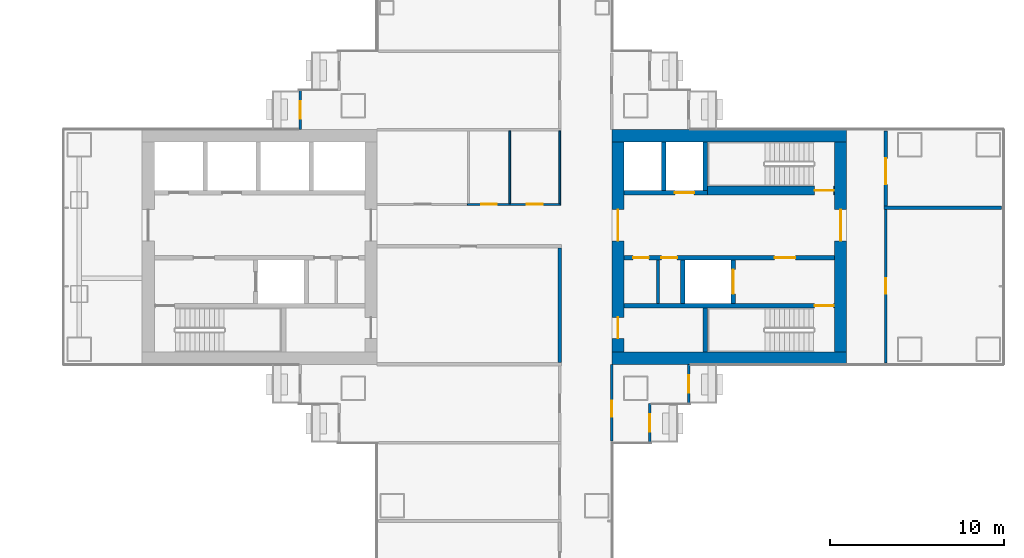
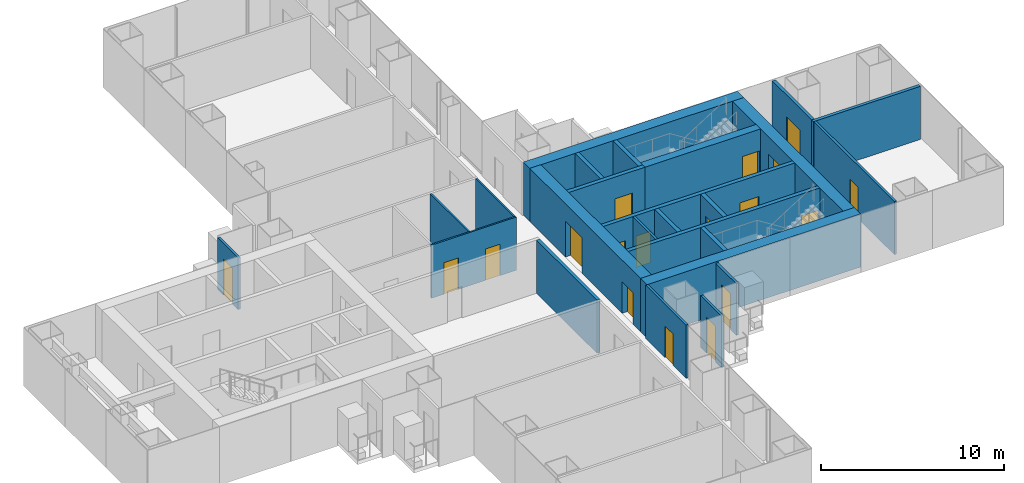
# One storey, part 16 of 21: 25 walls, 18 doors, 18 openings.
"""IFC4 building model written with IfcOpenShell, lengths in metres."""

from ifc_helpers import new_model, si_unit, direction, frame, frame_2d, origin, place, context, subcontext, project, spatial, rectangle, extrude, material, layer, layer_set, type_object, element, fill, save


model = new_model("IFC4")

# Units and contexts
model_context = context("Model", 3, precision=1e-05, world=origin(), true_north=direction((0.0, 1.0)))
body_context = subcontext(model_context, "Body", "Model", "MODEL_VIEW")
ifc_project = project(units=[si_unit("LENGTHUNIT", "METRE"), si_unit("AREAUNIT", "SQUARE_METRE"), si_unit("VOLUMEUNIT", "CUBIC_METRE"), si_unit("PLANEANGLEUNIT", "RADIAN"), si_unit("MASSUNIT", "GRAM", prefix="KILO")], contexts=[model_context])

# Site, building, storey
site_placement = place(None, origin())
site = spatial("IfcSite", under=ifc_project, at=site_placement, CompositionType="ELEMENT")
building_placement = place(site_placement, origin())
building = spatial("IfcBuilding", under=site, at=building_placement, Name="Shamsa Quay Exchange Towers", CompositionType="ELEMENT")
storey_placement = place(building_placement, frame((0.0, 0.0, 49.800048828125)))
storey = spatial("IfcBuildingStorey", under=building, at=storey_placement, Name="L10", CompositionType="ELEMENT", Elevation=49.800048828125)

# Wall, opening, door
ifc_material_1 = material(Name="Aluminium EN AW-6063 T6, black anodised, with black enamelled glass infill", Category="aluminium")
ifc_layer_1 = layer(ifc_material_1, 0.14990234375)
ifc_layer_set_1 = layer_set([ifc_layer_1], Name="BALCONY DOOR BAY WALL 150")
wall_type_1 = type_object("IfcWallType", Name="BALCONY DOOR BAY WALL 150", PredefinedType="SOLIDWALL", material=ifc_layer_set_1)
wall_1_placement = place(storey_placement, frame((22.574951171875, 6.742919921875, 0.0), z_axis=(0.0, 0.0, 1.0), x_axis=(0.0, 1.0, 0.0)))
wall_1 = element("IfcWall", 1, at=wall_1_placement, inside=storey, type_object=wall_type_1, Name="Door bay T2-PKEN L10", PredefinedType="SOLIDWALL", context=body_context, shape_type="SweptSolid", body=[
    extrude(rectangle(XDim=2.257080078125, YDim=0.14990234375, at=frame_2d((1.12841796875, 0.0))), origin(), (0.0, 0.0, 1.0), 3.449951171875),
])
opening_1_placement = place(wall_1_placement, frame((0.632080078125, 0.0, 0.0)))
opening_1 = element("IfcOpeningElement", 2, at=opening_1_placement, cuts=wall_1, Name="Opening XD058", PredefinedType="OPENING", context=body_context, shape_type="SweptSolid", body=[
    extrude(rectangle(XDim=1.0, YDim=2.39990234375, at=frame_2d((0.5, 1.199951171875))), frame((0.0, 0.0849609375, 0.0), z_axis=(0.0, -1.0, 0.0), x_axis=(1.0, 0.0, 0.0)), (0.0, 0.0, 1.0), 0.169921875),
])
ifc_material_2 = material(Name="Aluminium EN AW-6063 T6, black anodised, with laminated glass leaf", Category="aluminium")
door_type_1 = type_object("IfcDoorType", Name="BALCONY DOOR 1000x2400", OperationType="SINGLE_SWING_LEFT", PredefinedType="DOOR", material=ifc_material_2)
door_1_placement = place(opening_1_placement, origin())
door_1 = element("IfcDoor", 3, at=door_1_placement, inside=storey, type_object=door_type_1, Name="Balcony door T2-PKEN L10", OperationType="SINGLE_SWING_LEFT", OverallHeight=2.39990234375, OverallWidth=1.0, PredefinedType="DOOR", context=body_context, shape_type="SweptSolid", body=[
    extrude(rectangle(XDim=1.0, YDim=2.39990234375, at=frame_2d((0.5, 1.199951171875))), frame((0.0, 0.02490234375, 0.0), z_axis=(0.0, -1.0, 0.0), x_axis=(1.0, 0.0, 0.0)), (0.0, 0.0, 1.0), 0.050048828125),
])
fill(opening_1, door_1)

wall_2_placement = place(storey_placement, frame((42.675048828125, -9.0, 0.0), z_axis=(0.0, 0.0, 1.0), x_axis=(0.0, -1.0, 0.0)))
wall_2 = element("IfcWall", 4, at=wall_2_placement, inside=storey, type_object=wall_type_1, Name="Door bay T2-PKWS L10", PredefinedType="SOLIDWALL", context=body_context, shape_type="SweptSolid", body=[
    extrude(rectangle(XDim=2.25, YDim=0.14990234375, at=frame_2d((1.125, 0.0))), origin(), (0.0, 0.0, 1.0), 3.449951171875),
])
opening_2_placement = place(wall_2_placement, frame((0.625, 0.0, 0.0)))
opening_2 = element("IfcOpeningElement", 5, at=opening_2_placement, cuts=wall_2, Name="Opening XD063", PredefinedType="OPENING", context=body_context, shape_type="SweptSolid", body=[
    extrude(rectangle(XDim=1.0, YDim=2.39990234375, at=frame_2d((0.5, 1.199951171875))), frame((0.0, 0.0849609375, 0.0), z_axis=(0.0, -1.0, 0.0), x_axis=(1.0, 0.0, 0.0)), (0.0, 0.0, 1.0), 0.169921875),
])
door_2_placement = place(opening_2_placement, origin())
door_2 = element("IfcDoor", 6, at=door_2_placement, inside=storey, type_object=door_type_1, Name="Balcony door T2-PKWS L10", OperationType="SINGLE_SWING_LEFT", OverallHeight=2.39990234375, OverallWidth=1.0, PredefinedType="DOOR", context=body_context, shape_type="SweptSolid", body=[
    extrude(rectangle(XDim=1.0, YDim=2.39990234375, at=frame_2d((0.5, 1.199951171875))), frame((0.0, 0.02490234375, 0.0), z_axis=(0.0, -1.0, 0.0), x_axis=(1.0, 0.0, 0.0)), (0.0, 0.0, 1.0), 0.050048828125),
])
fill(opening_2, door_2)

wall_3_placement = place(storey_placement, frame((44.925048828125, -6.742919921875, 0.0), z_axis=(0.0, 0.0, 1.0), x_axis=(0.0, -1.0, 0.0)))
wall_3 = element("IfcWall", 7, at=wall_3_placement, inside=storey, type_object=wall_type_1, Name="Door bay T2-PKWS L10", PredefinedType="SOLIDWALL", context=body_context, shape_type="SweptSolid", body=[
    extrude(rectangle(XDim=2.257080078125, YDim=0.14990234375, at=frame_2d((1.12841796875, 0.0))), origin(), (0.0, 0.0, 1.0), 3.449951171875),
])
opening_3_placement = place(wall_3_placement, frame((0.632080078125, 0.0, 0.0)))
opening_3 = element("IfcOpeningElement", 8, at=opening_3_placement, cuts=wall_3, Name="Opening XD064", PredefinedType="OPENING", context=body_context, shape_type="SweptSolid", body=[
    extrude(rectangle(XDim=1.0, YDim=2.39990234375, at=frame_2d((0.5, 1.199951171875))), frame((0.0, 0.0849609375, 0.0), z_axis=(0.0, -1.0, 0.0), x_axis=(1.0, 0.0, 0.0)), (0.0, 0.0, 1.0), 0.169921875),
])
door_3_placement = place(opening_3_placement, origin())
door_3 = element("IfcDoor", 9, at=door_3_placement, inside=storey, type_object=door_type_1, Name="Balcony door T2-PKWS L10", OperationType="SINGLE_SWING_RIGHT", OverallHeight=2.39990234375, OverallWidth=1.0, PredefinedType="DOOR", context=body_context, shape_type="SweptSolid", body=[
    extrude(rectangle(XDim=1.0, YDim=2.39990234375, at=frame_2d((0.5, 1.199951171875))), frame((0.0, 0.02490234375, 0.0), z_axis=(0.0, -1.0, 0.0), x_axis=(1.0, 0.0, 0.0)), (0.0, 0.0, 1.0), 0.050048828125),
])
fill(opening_3, door_3)

# Walls
ifc_material_3 = material(Name="Concrete C80/95", Category="concrete")
ifc_layer_2 = layer(ifc_material_3, 0.699951171875)
ifc_layer_set_2 = layer_set([ifc_layer_2], Name="CORE WALL 700 C80/95")
wall_type_2 = type_object("IfcWallType", Name="CORE WALL 700 C80/95", PredefinedType="SHEAR", material=ifc_layer_set_2)
for number, where, z_axis, x_axis, name in (
    (10, (54.0, -6.39990234375, 0.0), (0.0, 0.0, 1.0), (-1.0, 0.0, 0.0), "Core wall T2B-R04-PS"),
    (11, (54.0, 6.39990234375, 0.0), (0.0, 0.0, 1.0), (-1.0, 0.0, 0.0), "Core wall T2B-R04-PN"),
):
    element("IfcWall", number, at=place(storey_placement, frame(where, z_axis=z_axis, x_axis=x_axis)), inside=storey, type_object=wall_type_2, Name=name, PredefinedType="SHEAR", context=body_context, shape_type="SweptSolid", body=[
        extrude(rectangle(XDim=13.5, YDim=0.699951171875, at=frame_2d((6.75, 0.0))), origin(), (0.0, 0.0, 1.0), 3.550048828125),
    ])

# Wall, opening, door
wall_4_placement = place(storey_placement, frame((53.64990234375, -6.050048828125, 0.0), z_axis=(0.0, 0.0, 1.0), x_axis=(0.0, 1.0, 0.0)))
wall_4 = element("IfcWall", 12, at=wall_4_placement, inside=storey, type_object=wall_type_2, Name="Core wall T2B-R04-PF", PredefinedType="SHEAR", context=body_context, shape_type="SweptSolid", body=[
    extrude(rectangle(XDim=12.10009765625, YDim=0.699951171875, at=frame_2d((6.050048828125, 0.0))), origin(), (0.0, 0.0, 1.0), 3.550048828125),
])
opening_4_placement = place(wall_4_placement, frame((6.39990234375, 0.0, 0.0)))
opening_4 = element("IfcOpeningElement", 13, at=opening_4_placement, cuts=wall_4, Name="Opening T2B-R04-LBD01", PredefinedType="OPENING", context=body_context, shape_type="SweptSolid", body=[
    extrude(rectangle(XDim=1.800048828125, YDim=2.39990234375, at=frame_2d((0.89990234375, 1.199951171875))), frame((0.0, 0.35986328125, 0.0), z_axis=(0.0, -1.0, 0.0), x_axis=(1.0, 0.0, 0.0)), (0.0, 0.0, 1.0), 0.719970703125),
])
ifc_material_4 = material(Name="Steel, fire rated", Category="steel")
door_type_2 = type_object("IfcDoorType", Name="LIFT LOBBY DOOR PAIR 1800", OperationType="DOUBLE_DOOR_SINGLE_SWING", PredefinedType="DOOR", material=ifc_material_4)
door_4_placement = place(opening_4_placement, origin())
door_4 = element("IfcDoor", 14, at=door_4_placement, inside=storey, type_object=door_type_2, Name="T2B-R04-LBD01", OperationType="DOUBLE_DOOR_SINGLE_SWING", OverallHeight=2.39990234375, OverallWidth=1.800048828125, PredefinedType="DOOR", context=body_context, shape_type="SweptSolid", body=[
    extrude(rectangle(XDim=1.800048828125, YDim=2.39990234375, at=frame_2d((0.89990234375, 1.199951171875))), frame((0.0, 0.02490234375, 0.0), z_axis=(0.0, -1.0, 0.0), x_axis=(1.0, 0.0, 0.0)), (0.0, 0.0, 1.0), 0.050048828125),
])
fill(opening_4, door_4)

# Wall, openings, doors
wall_5_placement = place(storey_placement, frame((40.85009765625, -6.050048828125, 0.0), z_axis=(0.0, 0.0, 1.0), x_axis=(0.0, 1.0, 0.0)))
wall_5 = element("IfcWall", 15, at=wall_5_placement, inside=storey, type_object=wall_type_2, Name="Core wall T2B-R04-PB", PredefinedType="SHEAR", context=body_context, shape_type="SweptSolid", body=[
    extrude(rectangle(XDim=12.10009765625, YDim=0.699951171875, at=frame_2d((6.050048828125, 0.0))), origin(), (0.0, 0.0, 1.0), 3.550048828125),
])
opening_5_placement = place(wall_5_placement, frame((0.800048828125, 0.0, 0.0)))
opening_5 = element("IfcOpeningElement", 16, at=opening_5_placement, cuts=wall_5, Name="Opening T2B-R04-RD02", PredefinedType="OPENING", context=body_context, shape_type="SweptSolid", body=[
    extrude(rectangle(XDim=1.199951171875, YDim=2.10009765625, at=frame_2d((0.60009765625, 1.050048828125))), frame((0.0, 0.35986328125, 0.0), z_axis=(0.0, -1.0, 0.0), x_axis=(1.0, 0.0, 0.0)), (0.0, 0.0, 1.0), 0.719970703125),
])
opening_6_placement = place(wall_5_placement, frame((6.39990234375, 0.0, 0.0)))
opening_6 = element("IfcOpeningElement", 17, at=opening_6_placement, cuts=wall_5, Name="Opening T2B-R04-LBD03", PredefinedType="OPENING", context=body_context, shape_type="SweptSolid", body=[
    extrude(rectangle(XDim=1.800048828125, YDim=2.39990234375, at=frame_2d((0.89990234375, 1.199951171875))), frame((0.0, 0.35986328125, 0.0), z_axis=(0.0, -1.0, 0.0), x_axis=(1.0, 0.0, 0.0)), (0.0, 0.0, 1.0), 0.719970703125),
])
door_5_placement = place(opening_6_placement, origin())
door_5 = element("IfcDoor", 18, at=door_5_placement, inside=storey, type_object=door_type_2, Name="T2B-R04-LBD03", OperationType="DOUBLE_DOOR_SINGLE_SWING", OverallHeight=2.39990234375, OverallWidth=1.800048828125, PredefinedType="DOOR", context=body_context, shape_type="SweptSolid", body=[
    extrude(rectangle(XDim=1.800048828125, YDim=2.39990234375, at=frame_2d((0.89990234375, 1.199951171875))), frame((0.0, 0.02490234375, 0.0), z_axis=(0.0, -1.0, 0.0), x_axis=(1.0, 0.0, 0.0)), (0.0, 0.0, 1.0), 0.050048828125),
])
fill(opening_6, door_5)
door_type_3 = type_object("IfcDoorType", Name="RISER ACCESS DOOR 1200", OperationType="SINGLE_SWING_LEFT", PredefinedType="DOOR", material=ifc_material_4)
door_6_placement = place(opening_5_placement, origin())
door_6 = element("IfcDoor", 19, at=door_6_placement, inside=storey, type_object=door_type_3, Name="T2B-R04-RD02", OperationType="SINGLE_SWING_LEFT", OverallHeight=2.10009765625, OverallWidth=1.199951171875, PredefinedType="DOOR", context=body_context, shape_type="SweptSolid", body=[
    extrude(rectangle(XDim=1.199951171875, YDim=2.10009765625, at=frame_2d((0.60009765625, 1.050048828125))), frame((0.0, 0.02490234375, 0.0), z_axis=(0.0, -1.0, 0.0), x_axis=(1.0, 0.0, 0.0)), (0.0, 0.0, 1.0), 0.050048828125),
])
fill(opening_5, door_6)

# Walls
ifc_material_5 = material(Name="Gypsum board on steel studs, EI 60", Category="steel")
ifc_layer_3 = layer(ifc_material_5, 0.14990234375)
ifc_layer_set_3 = layer_set([ifc_layer_3], Name="FIRE PARTITION 150")
wall_type_3 = type_object("IfcWallType", Name="FIRE PARTITION 150", PredefinedType="PARTITIONING", material=ifc_layer_set_3)
wall_6_placement = place(storey_placement, frame((43.14990234375, -3.25, 0.0), z_axis=(0.0, 0.0, 1.0), x_axis=(0.0, 1.0, 0.0)))
element("IfcWall", 20, at=wall_6_placement, inside=storey, type_object=wall_type_3, Name="Partition T2B-R04-EC0", PredefinedType="PARTITIONING", context=body_context, shape_type="SweptSolid", body=[
    extrude(rectangle(XDim=2.5, YDim=0.14990234375, at=frame_2d((1.25, 0.0))), origin(), (0.0, 0.0, 1.0), 3.550048828125),
])
ifc_material_6 = material(Name="Gypsum board partition on metal studs")
ifc_layer_4 = layer(ifc_material_6, 0.10009765625)
ifc_layer_set_4 = layer_set([ifc_layer_4], Name="Partition 100 mm NOT RATED")
wall_type_4 = type_object("IfcWallType", Name="Partition 100 mm NOT RATED", PredefinedType="PARTITIONING", material=ifc_layer_set_4)
wall_7_placement = place(storey_placement, frame((37.5, 2.500244140625, 0.0), z_axis=(0.0, 0.0, 1.0), x_axis=(0.0, 1.0, 0.0)))
element("IfcWall", 21, at=wall_7_placement, inside=storey, type_object=wall_type_4, Name="Partition T2-R04-W08", PredefinedType="PARTITIONING", context=body_context, shape_type="SweptSolid", body=[
    extrude(rectangle(XDim=4.1748046875, YDim=0.10009765625, at=frame_2d((2.08740234375, 0.0))), origin(), (0.0, 0.0, 1.0), 3.550048828125),
])

# Wall, openings, doors
wall_8_placement = place(storey_placement, frame((32.1875, 2.4501953125, 0.0)))
wall_8 = element("IfcWall", 22, at=wall_8_placement, inside=storey, type_object=wall_type_4, Name="Partition T2-R04-W09", PredefinedType="PARTITIONING", context=body_context, shape_type="SweptSolid", body=[
    extrude(rectangle(XDim=5.362548828125, YDim=0.10009765625, at=frame_2d((2.68115234375, 0.0))), origin(), (0.0, 0.0, 1.0), 3.550048828125),
])
opening_7_placement = place(wall_8_placement, frame((3.425048828125, 0.0, 0.0)))
opening_7 = element("IfcOpeningElement", 23, at=opening_7_placement, cuts=wall_8, Name="Opening T2-R04-D09", PredefinedType="OPENING", context=body_context, shape_type="SweptSolid", body=[
    extrude(rectangle(XDim=0.89990234375, YDim=2.10009765625, at=frame_2d((0.449951171875, 1.050048828125))), frame((0.0, 0.06005859375, 0.0), z_axis=(0.0, -1.0, 0.0), x_axis=(1.0, 0.0, 0.0)), (0.0, 0.0, 1.0), 0.1201171875),
])
opening_8_placement = place(wall_8_placement, frame((0.800048828125, 0.0, 0.0)))
opening_8 = element("IfcOpeningElement", 24, at=opening_8_placement, cuts=wall_8, Name="Opening T2-R04-D10", PredefinedType="OPENING", context=body_context, shape_type="SweptSolid", body=[
    extrude(rectangle(XDim=0.89990234375, YDim=2.10009765625, at=frame_2d((0.449951171875, 1.050048828125))), frame((0.0, 0.06005859375, 0.0), z_axis=(0.0, -1.0, 0.0), x_axis=(1.0, 0.0, 0.0)), (0.0, 0.0, 1.0), 0.1201171875),
])
ifc_material_7 = material(Name="Timber door leaf in a metal frame", Category="wood")
door_type_4 = type_object("IfcDoorType", Name="Door 900x2100 NOT RATED", OperationType="NOTDEFINED", PredefinedType="DOOR", material=ifc_material_7)
door_7_placement = place(opening_7_placement, origin())
door_7 = element("IfcDoor", 25, at=door_7_placement, inside=storey, type_object=door_type_4, Name="Door T2-R04-D09", OperationType="SINGLE_SWING_RIGHT", OverallHeight=2.10009765625, OverallWidth=0.89990234375, PredefinedType="DOOR", context=body_context, shape_type="SweptSolid", body=[
    extrude(rectangle(XDim=0.89990234375, YDim=2.10009765625, at=frame_2d((0.449951171875, 1.050048828125))), frame((0.0, 0.02490234375, 0.0), z_axis=(0.0, -1.0, 0.0), x_axis=(1.0, 0.0, 0.0)), (0.0, 0.0, 1.0), 0.050048828125),
])
fill(opening_7, door_7)
door_8_placement = place(opening_8_placement, origin())
door_8 = element("IfcDoor", 26, at=door_8_placement, inside=storey, type_object=door_type_4, Name="Door T2-R04-D10", OperationType="SINGLE_SWING_RIGHT", OverallHeight=2.10009765625, OverallWidth=0.89990234375, PredefinedType="DOOR", context=body_context, shape_type="SweptSolid", body=[
    extrude(rectangle(XDim=0.89990234375, YDim=2.10009765625, at=frame_2d((0.449951171875, 1.050048828125))), frame((0.0, 0.02490234375, 0.0), z_axis=(0.0, -1.0, 0.0), x_axis=(1.0, 0.0, 0.0)), (0.0, 0.0, 1.0), 0.050048828125),
])
fill(opening_8, door_8)

# Wall
wall_9_placement = place(storey_placement, frame((34.625, 6.675048828125, 0.0), z_axis=(0.0, 0.0, 1.0), x_axis=(0.0, -1.0, 0.0)))
element("IfcWall", 27, at=wall_9_placement, inside=storey, type_object=wall_type_4, Name="Partition T2-R04-W21", PredefinedType="PARTITIONING", context=body_context, shape_type="SweptSolid", body=[
    extrude(rectangle(XDim=4.1748046875, YDim=0.10009765625, at=frame_2d((2.08740234375, 0.0))), origin(), (0.0, 0.0, 1.0), 3.550048828125),
])

# Wall, opening, door
ifc_layer_5 = layer(ifc_material_6, 0.14990234375)
ifc_layer_set_5 = layer_set([ifc_layer_5], Name="Partition 150 mm EI 60")
wall_type_5 = type_object("IfcWallType", Name="Partition 150 mm EI 60", PredefinedType="PARTITIONING", material=ifc_layer_set_5)
wall_10_placement = place(storey_placement, frame((40.5, -6.75, 0.0), z_axis=(0.0, 0.0, 1.0), x_axis=(0.0, -1.0, 0.0)))
wall_10 = element("IfcWall", 28, at=wall_10_placement, inside=storey, type_object=wall_type_5, Name="Partition T2-R04-W13", PredefinedType="PARTITIONING", context=body_context, shape_type="SweptSolid", body=[
    extrude(rectangle(XDim=4.405029296875, YDim=0.14990234375, at=frame_2d((2.20263671875, 0.0))), origin(), (0.0, 0.0, 1.0), 3.550048828125),
])
opening_9_placement = place(wall_10_placement, frame((2.10009765625, 0.0, 0.0)))
opening_9 = element("IfcOpeningElement", 29, at=opening_9_placement, cuts=wall_10, Name="Opening T2-R04-D03", PredefinedType="OPENING", context=body_context, shape_type="SweptSolid", body=[
    extrude(rectangle(XDim=0.89990234375, YDim=2.10009765625, at=frame_2d((0.449951171875, 1.050048828125))), frame((0.0, 0.0849609375, 0.0), z_axis=(0.0, -1.0, 0.0), x_axis=(1.0, 0.0, 0.0)), (0.0, 0.0, 1.0), 0.169921875),
])
door_type_5 = type_object("IfcDoorType", Name="Door 900x2100 FD30S", OperationType="NOTDEFINED", PredefinedType="DOOR", material=ifc_material_7)
door_9_placement = place(opening_9_placement, origin())
door_9 = element("IfcDoor", 30, at=door_9_placement, inside=storey, type_object=door_type_5, Name="Door T2-R04-D03", OperationType="SINGLE_SWING_RIGHT", OverallHeight=2.10009765625, OverallWidth=0.89990234375, PredefinedType="DOOR", context=body_context, shape_type="SweptSolid", body=[
    extrude(rectangle(XDim=0.89990234375, YDim=2.10009765625, at=frame_2d((0.449951171875, 1.050048828125))), frame((0.0, 0.02490234375, 0.0), z_axis=(0.0, -1.0, 0.0), x_axis=(1.0, 0.0, 0.0)), (0.0, 0.0, 1.0), 0.050048828125),
])
fill(opening_9, door_9)

wall_11_placement = place(storey_placement, frame((56.25, 2.14990234375, 0.0), z_axis=(0.0, 0.0, 1.0), x_axis=(0.0, -1.0, 0.0)))
wall_11 = element("IfcWall", 31, at=wall_11_placement, inside=storey, type_object=wall_type_5, Name="Partition T2-R04-W15", PredefinedType="PARTITIONING", context=body_context, shape_type="SweptSolid", body=[
    extrude(rectangle(XDim=8.804931640625, YDim=0.14990234375, at=frame_2d((4.40234375, 0.0))), origin(), (0.0, 0.0, 1.0), 3.550048828125),
])
opening_10_placement = place(wall_11_placement, frame((3.949951171875, 0.0, 0.0)))
opening_10 = element("IfcOpeningElement", 32, at=opening_10_placement, cuts=wall_11, Name="Opening T2-R04-D01", PredefinedType="OPENING", context=body_context, shape_type="SweptSolid", body=[
    extrude(rectangle(XDim=0.89990234375, YDim=2.10009765625, at=frame_2d((0.449951171875, 1.050048828125))), frame((0.0, 0.0849609375, 0.0), z_axis=(0.0, -1.0, 0.0), x_axis=(1.0, 0.0, 0.0)), (0.0, 0.0, 1.0), 0.169921875),
])
door_10_placement = place(opening_10_placement, origin())
door_10 = element("IfcDoor", 33, at=door_10_placement, inside=storey, type_object=door_type_5, Name="Door T2-R04-D01", OperationType="SINGLE_SWING_LEFT", OverallHeight=2.10009765625, OverallWidth=0.89990234375, PredefinedType="DOOR", context=body_context, shape_type="SweptSolid", body=[
    extrude(rectangle(XDim=0.89990234375, YDim=2.10009765625, at=frame_2d((0.449951171875, 1.050048828125))), frame((0.0, 0.02490234375, 0.0), z_axis=(0.0, -1.0, 0.0), x_axis=(1.0, 0.0, 0.0)), (0.0, 0.0, 1.0), 0.050048828125),
])
fill(opening_10, door_10)

# Wall
ifc_layer_6 = layer(ifc_material_6, 0.199951171875)
ifc_layer_set_6 = layer_set([ifc_layer_6], Name="Partition 200 mm EI 120")
wall_type_6 = type_object("IfcWallType", Name="Partition 200 mm EI 120", PredefinedType="PARTITIONING", material=ifc_layer_set_6)
wall_12_placement = place(storey_placement, frame((37.5, -6.64990234375, 0.0), z_axis=(0.0, 0.0, 1.0), x_axis=(0.0, 1.0, 0.0)))
element("IfcWall", 34, at=wall_12_placement, inside=storey, type_object=wall_type_6, Name="Partition T2-R04-W12", PredefinedType="PARTITIONING", context=body_context, shape_type="SweptSolid", body=[
    extrude(rectangle(XDim=6.599609375, YDim=0.199951171875, at=frame_2d((3.2998046875, 0.0))), origin(), (0.0, 0.0, 1.0), 3.550048828125),
])

# Wall, opening, door
ifc_layer_7 = layer(ifc_material_6, 0.199951171875)
ifc_layer_set_7 = layer_set([ifc_layer_7], Name="Partition 200 mm EI 90")
wall_type_7 = type_object("IfcWallType", Name="Partition 200 mm EI 90", PredefinedType="PARTITIONING", material=ifc_layer_set_7)
wall_13_placement = place(storey_placement, frame((56.25, 6.655029296875, 0.0), z_axis=(0.0, 0.0, 1.0), x_axis=(0.0, -1.0, 0.0)))
wall_13 = element("IfcWall", 35, at=wall_13_placement, inside=storey, type_object=wall_type_7, Name="Partition T2-R04-W16", PredefinedType="PARTITIONING", context=body_context, shape_type="SweptSolid", body=[
    extrude(rectangle(XDim=4.304931640625, YDim=0.199951171875, at=frame_2d((2.15234375, 0.0))), origin(), (0.0, 0.0, 1.0), 3.550048828125),
])
opening_11_placement = place(wall_13_placement, frame((1.554931640625, 0.0, 0.0)))
opening_11 = element("IfcOpeningElement", 36, at=opening_11_placement, cuts=wall_13, Name="Opening T2-R04-D02", PredefinedType="OPENING", context=body_context, shape_type="SweptSolid", body=[
    extrude(rectangle(XDim=1.5, YDim=2.10009765625, at=frame_2d((0.75, 1.050048828125))), frame((0.0, 0.10986328125, 0.0), z_axis=(0.0, -1.0, 0.0), x_axis=(1.0, 0.0, 0.0)), (0.0, 0.0, 1.0), 0.219970703125),
])
door_type_6 = type_object("IfcDoorType", Name="Door 1500x2100 FD30S pair", OperationType="NOTDEFINED", PredefinedType="DOOR", material=ifc_material_7)
door_11_placement = place(opening_11_placement, origin())
door_11 = element("IfcDoor", 37, at=door_11_placement, inside=storey, type_object=door_type_6, Name="Door T2-R04-D02", OperationType="DOUBLE_DOOR_SINGLE_SWING", OverallHeight=2.10009765625, OverallWidth=1.5, PredefinedType="DOOR", context=body_context, shape_type="SweptSolid", body=[
    extrude(rectangle(XDim=1.5, YDim=2.10009765625, at=frame_2d((0.75, 1.050048828125))), frame((0.0, 0.02490234375, 0.0), z_axis=(0.0, -1.0, 0.0), x_axis=(1.0, 0.0, 0.0)), (0.0, 0.0, 1.0), 0.050048828125),
])
fill(opening_11, door_11)

# Wall
wall_14_placement = place(storey_placement, frame((62.905029296875, 2.25, 0.0), z_axis=(0.0, 0.0, 1.0), x_axis=(-1.0, 0.0, 0.0)))
element("IfcWall", 38, at=wall_14_placement, inside=storey, type_object=wall_type_7, Name="Partition T2-R04-W27", PredefinedType="PARTITIONING", context=body_context, shape_type="SweptSolid", body=[
    extrude(rectangle(XDim=6.755126953125, YDim=0.199951171875, at=frame_2d((3.37744140625, 0.0))), origin(), (0.0, 0.0, 1.0), 3.550048828125),
])

# Wall, opening, door
ifc_material_8 = material(Name="Concrete C50/60", Category="concrete")
ifc_layer_8 = layer(ifc_material_8, 0.25)
ifc_layer_set_8 = layer_set([ifc_layer_8], Name="SHAFT WALL 250 C50/60")
wall_type_8 = type_object("IfcWallType", Name="SHAFT WALL 250 C50/60", PredefinedType="SHEAR", material=ifc_layer_set_8)
wall_15_placement = place(storey_placement, frame((53.300048828125, -3.375, 0.0), z_axis=(0.0, 0.0, 1.0), x_axis=(-1.0, 0.0, 0.0)))
wall_15 = element("IfcWall", 39, at=wall_15_placement, inside=storey, type_object=wall_type_8, Name="Shaft wall T2B-R04-STL", PredefinedType="SHEAR", context=body_context, shape_type="SweptSolid", body=[
    extrude(rectangle(XDim=12.10009765625, YDim=0.25, at=frame_2d((6.050048828125, 0.0))), origin(), (0.0, 0.0, 1.0), 3.550048828125),
])
opening_12_placement = place(wall_15_placement, frame((0.050048828125, 0.0, 0.0)))
opening_12 = element("IfcOpeningElement", 40, at=opening_12_placement, cuts=wall_15, Name="Opening T2B-R04-SD04", PredefinedType="OPENING", context=body_context, shape_type="SweptSolid", body=[
    extrude(rectangle(XDim=1.10009765625, YDim=2.10009765625, at=frame_2d((0.550048828125, 1.050048828125))), frame((0.0, 0.135009765625, 0.0), z_axis=(0.0, -1.0, 0.0), x_axis=(1.0, 0.0, 0.0)), (0.0, 0.0, 1.0), 0.27001953125),
])
door_type_7 = type_object("IfcDoorType", Name="STAIR DOOR 1100", OperationType="SINGLE_SWING_LEFT", PredefinedType="DOOR", material=ifc_material_4)
door_12_placement = place(opening_12_placement, origin())
door_12 = element("IfcDoor", 41, at=door_12_placement, inside=storey, type_object=door_type_7, Name="T2B-R04-SD04", OperationType="SINGLE_SWING_LEFT", OverallHeight=2.10009765625, OverallWidth=1.10009765625, PredefinedType="DOOR", context=body_context, shape_type="SweptSolid", body=[
    extrude(rectangle(XDim=1.10009765625, YDim=2.10009765625, at=frame_2d((0.550048828125, 1.050048828125))), frame((0.0, 0.02490234375, 0.0), z_axis=(0.0, -1.0, 0.0), x_axis=(1.0, 0.0, 0.0)), (0.0, 0.0, 1.0), 0.050048828125),
])
fill(opening_12, door_12)

# Wall
wall_16_placement = place(storey_placement, frame((45.875, -6.050048828125, 0.0), z_axis=(0.0, 0.0, 1.0), x_axis=(0.0, 1.0, 0.0)))
element("IfcWall", 42, at=wall_16_placement, inside=storey, type_object=wall_type_8, Name="Shaft wall T2B-R04-STF", PredefinedType="SHEAR", context=body_context, shape_type="SweptSolid", body=[
    extrude(rectangle(XDim=2.550048828125, YDim=0.25, at=frame_2d((1.27490234375, 0.0))), origin(), (0.0, 0.0, 1.0), 3.550048828125),
])

# Wall, openings, doors
wall_17_placement = place(storey_placement, frame((53.300048828125, -0.625, 0.0), z_axis=(0.0, 0.0, 1.0), x_axis=(-1.0, 0.0, 0.0)))
wall_17 = element("IfcWall", 43, at=wall_17_placement, inside=storey, type_object=wall_type_8, Name="Shaft wall T2B-R04-B", PredefinedType="SHEAR", context=body_context, shape_type="SweptSolid", body=[
    extrude(rectangle(XDim=12.10009765625, YDim=0.25, at=frame_2d((6.050048828125, 0.0))), origin(), (0.0, 0.0, 1.0), 3.550048828125),
])
opening_13_placement = place(wall_17_placement, frame((2.25, 0.0, 0.0)))
opening_13 = element("IfcOpeningElement", 44, at=opening_13_placement, cuts=wall_17, Name="Opening T2B-R04-FD05", PredefinedType="OPENING", context=body_context, shape_type="SweptSolid", body=[
    extrude(rectangle(XDim=1.199951171875, YDim=2.10009765625, at=frame_2d((0.60009765625, 1.050048828125))), frame((0.0, 0.135009765625, 0.0), z_axis=(0.0, -1.0, 0.0), x_axis=(1.0, 0.0, 0.0)), (0.0, 0.0, 1.0), 0.27001953125),
])
opening_14_placement = place(wall_17_placement, frame((9.050048828125, 0.0, 0.0)))
opening_14 = element("IfcOpeningElement", 45, at=opening_14_placement, cuts=wall_17, Name="Opening T2B-R04-SV06", PredefinedType="OPENING", context=body_context, shape_type="SweptSolid", body=[
    extrude(rectangle(XDim=0.89990234375, YDim=2.10009765625, at=frame_2d((0.449951171875, 1.050048828125))), frame((0.0, 0.135009765625, 0.0), z_axis=(0.0, -1.0, 0.0), x_axis=(1.0, 0.0, 0.0)), (0.0, 0.0, 1.0), 0.27001953125),
])
opening_15_placement = place(wall_17_placement, frame((10.675048828125, 0.0, 0.0)))
opening_15 = element("IfcOpeningElement", 46, at=opening_15_placement, cuts=wall_17, Name="Opening T2B-R04-SV07", PredefinedType="OPENING", context=body_context, shape_type="SweptSolid", body=[
    extrude(rectangle(XDim=0.89990234375, YDim=2.10009765625, at=frame_2d((0.449951171875, 1.050048828125))), frame((0.0, 0.135009765625, 0.0), z_axis=(0.0, -1.0, 0.0), x_axis=(1.0, 0.0, 0.0)), (0.0, 0.0, 1.0), 0.27001953125),
])
door_type_8 = type_object("IfcDoorType", Name="FIRE SERVICE LOBBY DOOR 1200", OperationType="SINGLE_SWING_LEFT", PredefinedType="DOOR", material=ifc_material_4)
door_13_placement = place(opening_13_placement, origin())
door_13 = element("IfcDoor", 47, at=door_13_placement, inside=storey, type_object=door_type_8, Name="T2B-R04-FD05", OperationType="SINGLE_SWING_LEFT", OverallHeight=2.10009765625, OverallWidth=1.199951171875, PredefinedType="DOOR", context=body_context, shape_type="SweptSolid", body=[
    extrude(rectangle(XDim=1.199951171875, YDim=2.10009765625, at=frame_2d((0.60009765625, 1.050048828125))), frame((0.0, 0.02490234375, 0.0), z_axis=(0.0, -1.0, 0.0), x_axis=(1.0, 0.0, 0.0)), (0.0, 0.0, 1.0), 0.050048828125),
])
fill(opening_13, door_13)
door_type_9 = type_object("IfcDoorType", Name="SERVICE ROOM DOOR 900", OperationType="SINGLE_SWING_LEFT", PredefinedType="DOOR", material=ifc_material_4)
door_14_placement = place(opening_14_placement, origin())
door_14 = element("IfcDoor", 48, at=door_14_placement, inside=storey, type_object=door_type_9, Name="T2B-R04-SV06", OperationType="SINGLE_SWING_RIGHT", OverallHeight=2.10009765625, OverallWidth=0.89990234375, PredefinedType="DOOR", context=body_context, shape_type="SweptSolid", body=[
    extrude(rectangle(XDim=0.89990234375, YDim=2.10009765625, at=frame_2d((0.449951171875, 1.050048828125))), frame((0.0, 0.02490234375, 0.0), z_axis=(0.0, -1.0, 0.0), x_axis=(1.0, 0.0, 0.0)), (0.0, 0.0, 1.0), 0.050048828125),
])
fill(opening_14, door_14)
door_15_placement = place(opening_15_placement, origin())
door_15 = element("IfcDoor", 49, at=door_15_placement, inside=storey, type_object=door_type_9, Name="T2B-R04-SV07", OperationType="SINGLE_SWING_RIGHT", OverallHeight=2.10009765625, OverallWidth=0.89990234375, PredefinedType="DOOR", context=body_context, shape_type="SweptSolid", body=[
    extrude(rectangle(XDim=0.89990234375, YDim=2.10009765625, at=frame_2d((0.449951171875, 1.050048828125))), frame((0.0, 0.02490234375, 0.0), z_axis=(0.0, -1.0, 0.0), x_axis=(1.0, 0.0, 0.0)), (0.0, 0.0, 1.0), 0.050048828125),
])
fill(opening_15, door_15)

# Wall, opening, door
wall_18_placement = place(storey_placement, frame((47.47509765625, -3.25, 0.0), z_axis=(0.0, 0.0, 1.0), x_axis=(0.0, 1.0, 0.0)))
wall_18 = element("IfcWall", 50, at=wall_18_placement, inside=storey, type_object=wall_type_8, Name="Shaft wall T2B-R04-FFF", PredefinedType="SHEAR", context=body_context, shape_type="SweptSolid", body=[
    extrude(rectangle(XDim=2.5, YDim=0.25, at=frame_2d((1.25, 0.0))), origin(), (0.0, 0.0, 1.0), 3.550048828125),
])
opening_16_placement = place(wall_18_placement, frame((0.550048828125, 0.0, 0.0)))
opening_16 = element("IfcOpeningElement", 51, at=opening_16_placement, cuts=wall_18, Name="Opening T2B-R04-LDG08", PredefinedType="OPENING", context=body_context, shape_type="SweptSolid", body=[
    extrude(rectangle(XDim=1.39990234375, YDim=2.39990234375, at=frame_2d((0.699951171875, 1.199951171875))), frame((0.0, 0.135009765625, 0.0), z_axis=(0.0, -1.0, 0.0), x_axis=(1.0, 0.0, 0.0)), (0.0, 0.0, 1.0), 0.27001953125),
])
door_type_10 = type_object("IfcDoorType", Name="GOODS LIFT LANDING DOOR 1400", OperationType="SLIDING_TO_LEFT", PredefinedType="DOOR", material=ifc_material_4)
door_16_placement = place(opening_16_placement, origin())
door_16 = element("IfcDoor", 52, at=door_16_placement, inside=storey, type_object=door_type_10, Name="T2B-R04-LDG08", OperationType="SLIDING_TO_LEFT", OverallHeight=2.39990234375, OverallWidth=1.39990234375, PredefinedType="DOOR", context=body_context, shape_type="SweptSolid", body=[
    extrude(rectangle(XDim=1.39990234375, YDim=2.39990234375, at=frame_2d((0.699951171875, 1.199951171875))), frame((0.0, 0.02490234375, 0.0), z_axis=(0.0, -1.0, 0.0), x_axis=(1.0, 0.0, 0.0)), (0.0, 0.0, 1.0), 0.050048828125),
])
fill(opening_16, door_16)

# Wall
wall_19_placement = place(storey_placement, frame((44.574951171875, -3.25, 0.0), z_axis=(0.0, 0.0, 1.0), x_axis=(0.0, 1.0, 0.0)))
element("IfcWall", 53, at=wall_19_placement, inside=storey, type_object=wall_type_8, Name="Shaft wall T2B-R04-FFB", PredefinedType="SHEAR", context=body_context, shape_type="SweptSolid", body=[
    extrude(rectangle(XDim=2.5, YDim=0.25, at=frame_2d((1.25, 0.0))), origin(), (0.0, 0.0, 1.0), 3.550048828125),
])

# Wall, opening, door
wall_20_placement = place(storey_placement, frame((46.0, 3.125, 0.0), z_axis=(0.0, 0.0, 1.0), x_axis=(-1.0, 0.0, 0.0)))
wall_20 = element("IfcWall", 54, at=wall_20_placement, inside=storey, type_object=wall_type_8, Name="Shaft wall T2B-R04-N2", PredefinedType="SHEAR", context=body_context, shape_type="SweptSolid", body=[
    extrude(rectangle(XDim=4.800048828125, YDim=0.25, at=frame_2d((2.39990234375, 0.0))), origin(), (0.0, 0.0, 1.0), 3.550048828125),
])
opening_17_placement = place(wall_20_placement, frame((0.77490234375, 0.0, 0.0)))
opening_17 = element("IfcOpeningElement", 55, at=opening_17_placement, cuts=wall_20, Name="Opening T2B-R04-LD10", PredefinedType="OPENING", context=body_context, shape_type="SweptSolid", body=[
    extrude(rectangle(XDim=1.10009765625, YDim=2.10009765625, at=frame_2d((0.550048828125, 1.050048828125))), frame((0.0, 0.135009765625, 0.0), z_axis=(0.0, -1.0, 0.0), x_axis=(1.0, 0.0, 0.0)), (0.0, 0.0, 1.0), 0.27001953125),
])
door_type_11 = type_object("IfcDoorType", Name="LANDING DOOR 1100", OperationType="SLIDING_TO_LEFT", PredefinedType="DOOR", material=ifc_material_4)
door_17_placement = place(opening_17_placement, origin())
door_17 = element("IfcDoor", 56, at=door_17_placement, inside=storey, type_object=door_type_11, Name="T2B-R04-LD10", OperationType="SLIDING_TO_LEFT", OverallHeight=2.10009765625, OverallWidth=1.10009765625, PredefinedType="DOOR", context=body_context, shape_type="SweptSolid", body=[
    extrude(rectangle(XDim=1.10009765625, YDim=2.10009765625, at=frame_2d((0.550048828125, 1.050048828125))), frame((0.0, 0.02490234375, 0.0), z_axis=(0.0, -1.0, 0.0), x_axis=(1.0, 0.0, 0.0)), (0.0, 0.0, 1.0), 0.050048828125),
])
fill(opening_17, door_17)

# Walls
for number, where, z_axis, x_axis, name in (
    (57, (45.875, 3.25, 0.0), (0.0, 0.0, 1.0), (0.0, 1.0, 0.0), "Shaft wall T2B-R04-STF2"),
    (58, (43.47509765625, 3.25, 0.0), (0.0, 0.0, 1.0), (0.0, 1.0, 0.0), "Shaft wall T2B-R04-D0"),
):
    element("IfcWall", number, at=place(storey_placement, frame(where, z_axis=z_axis, x_axis=x_axis)), inside=storey, type_object=wall_type_8, Name=name, PredefinedType="SHEAR", context=body_context, shape_type="SweptSolid", body=[
        extrude(rectangle(XDim=2.800048828125, YDim=0.25, at=frame_2d((1.39990234375, 0.0))), origin(), (0.0, 0.0, 1.0), 3.550048828125),
    ])

# Wall, opening, door
ifc_layer_9 = layer(ifc_material_8, 0.5)
ifc_layer_set_9 = layer_set([ifc_layer_9], Name="SHAFT WALL 500 C50/60")
wall_type_9 = type_object("IfcWallType", Name="SHAFT WALL 500 C50/60", PredefinedType="SHEAR", material=ifc_layer_set_9)
wall_21_placement = place(storey_placement, frame((46.0, 3.25, 0.0)))
wall_21 = element("IfcWall", 59, at=wall_21_placement, inside=storey, type_object=wall_type_9, Name="Shaft wall T2B-R04-N", PredefinedType="SHEAR", context=body_context, shape_type="SweptSolid", body=[
    extrude(rectangle(XDim=7.300048828125, YDim=0.5, at=frame_2d((3.64990234375, 0.0))), origin(), (0.0, 0.0, 1.0), 3.550048828125),
])
opening_18_placement = place(wall_21_placement, frame((6.14990234375, 0.0, 0.0)))
opening_18 = element("IfcOpeningElement", 60, at=opening_18_placement, cuts=wall_21, Name="Opening T2B-R04-SD09", PredefinedType="OPENING", context=body_context, shape_type="SweptSolid", body=[
    extrude(rectangle(XDim=1.10009765625, YDim=2.10009765625, at=frame_2d((0.550048828125, 1.050048828125))), frame((0.0, 0.260009765625, 0.0), z_axis=(0.0, -1.0, 0.0), x_axis=(1.0, 0.0, 0.0)), (0.0, 0.0, 1.0), 0.52001953125),
])
door_18_placement = place(opening_18_placement, origin())
door_18 = element("IfcDoor", 61, at=door_18_placement, inside=storey, type_object=door_type_7, Name="T2B-R04-SD09", OperationType="SINGLE_SWING_RIGHT", OverallHeight=2.10009765625, OverallWidth=1.10009765625, PredefinedType="DOOR", context=body_context, shape_type="SweptSolid", body=[
    extrude(rectangle(XDim=1.10009765625, YDim=2.10009765625, at=frame_2d((0.550048828125, 1.050048828125))), frame((0.0, 0.02490234375, 0.0), z_axis=(0.0, -1.0, 0.0), x_axis=(1.0, 0.0, 0.0)), (0.0, 0.0, 1.0), 0.050048828125),
])
fill(opening_18, door_18)

save(model, "model.ifc")
